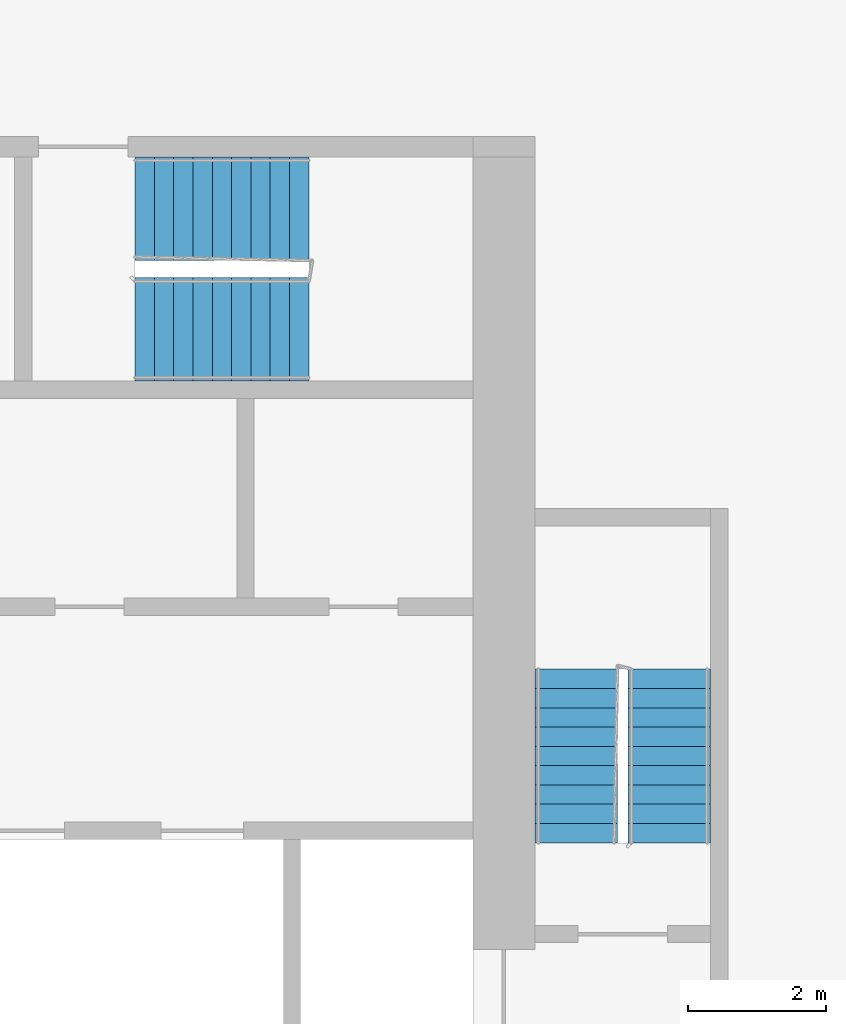
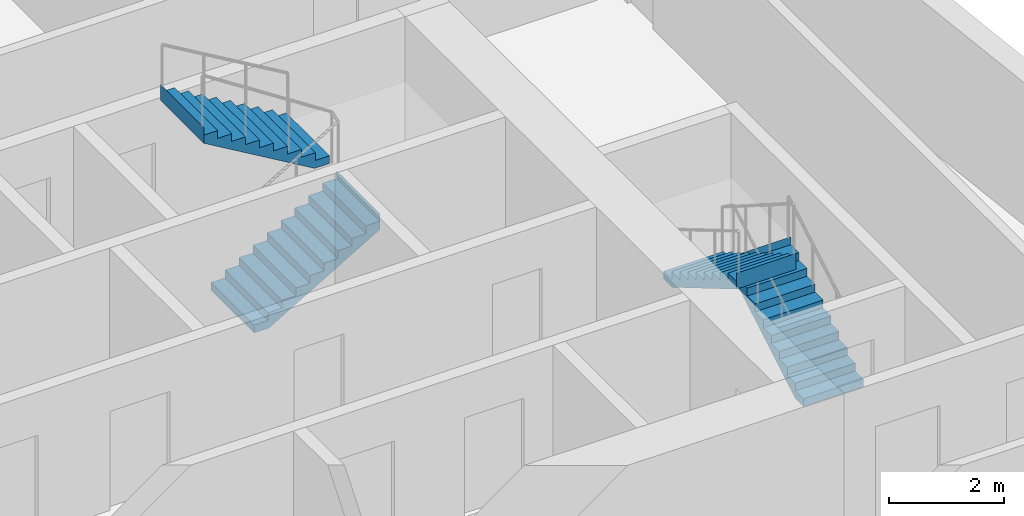
# One storey, part 11 of 12: 4 stair flights, 2 elements without a shape of their own.
"""IFC4 building model written with IfcOpenShell, lengths in metres."""

from ifc_helpers import new_model, si_unit, direction, frame, origin, place, context, subcontext, project, spatial, faceted_brep, material, type_object, element, aggregate, save


model = new_model("IFC4")

# Units and contexts
model_context = context("Model", 3, precision=1e-05, world=origin(), true_north=direction((0.0, 1.0)))
body_context = subcontext(model_context, "Body", "Model", "MODEL_VIEW")
ifc_project = project(units=[si_unit("LENGTHUNIT", "METRE"), si_unit("AREAUNIT", "SQUARE_METRE"), si_unit("VOLUMEUNIT", "CUBIC_METRE"), si_unit("PLANEANGLEUNIT", "RADIAN"), si_unit("MASSUNIT", "GRAM", prefix="KILO")], contexts=[model_context])

# Site, building, storey
site_placement = place(None, origin())
site = spatial("IfcSite", under=ifc_project, at=site_placement, CompositionType="ELEMENT")
building_placement = place(site_placement, origin())
building = spatial("IfcBuilding", under=site, at=building_placement, Name="Kajstack Hotel Tower", CompositionType="ELEMENT")
storey_placement = place(building_placement, frame((0.0, 0.0, 173.5)))
storey = spatial("IfcBuildingStorey", under=building, at=storey_placement, Name="L40", CompositionType="ELEMENT", Elevation=173.5)

# Stair, stair flights
ifc_material = material(Name="Concrete C40/50", Category="concrete")
stair_type_1 = type_object("IfcStairType", Name="Exit stair 1200", PredefinedType="HALF_TURN_STAIR", material=ifc_material)
stair_1_placement = place(storey_placement, origin())
stair_1 = element("IfcStair", 1, at=stair_1_placement, inside=storey, type_object=stair_type_1, Name="L40 stair E1", PredefinedType="HALF_TURN_STAIR")
stair_flight_type_1 = type_object("IfcStairFlightType", Name="Exit stair flight 1200", PredefinedType="STRAIGHT", material=ifc_material)
stair_flight_1_placement = place(storey_placement, frame((33.449951171875, 5.25, 0.0), z_axis=(0.0, 0.0, 1.0), x_axis=(0.0, 1.0, 0.0)))
stair_flight_1 = element("IfcStairFlight", 2, at=stair_flight_1_placement, type_object=stair_flight_type_1, Name="E1 flight 1", NumberOfRisers=10, NumberOfTreads=9, PredefinedType="STRAIGHT", RiserHeight=0.165, TreadLength=0.28, context=body_context, shape_type="Brep", body=[
    faceted_brep([(0.295654296875, -0.60009765625, 0.0), (2.5205078125, -0.60009765625, 1.31103515625), (2.5205078125, -0.60009765625, 1.64990234375), (2.52001953125, -0.60009765625, 1.64990234375), (2.52001953125, -0.60009765625, 1.485107421875), (2.239990234375, -0.60009765625, 1.485107421875), (2.239990234375, -0.60009765625, 1.320068359375), (1.9599609375, -0.60009765625, 1.320068359375), (1.9599609375, -0.60009765625, 1.155029296875), (1.679931640625, -0.60009765625, 1.155029296875), (1.679931640625, -0.60009765625, 0.989990234375), (1.39990234375, -0.60009765625, 0.989990234375), (1.39990234375, -0.60009765625, 0.824951171875), (1.1201171875, -0.60009765625, 0.824951171875), (1.1201171875, -0.60009765625, 0.659912109375), (0.840087890625, -0.60009765625, 0.659912109375), (0.840087890625, -0.60009765625, 0.4951171875), (0.56005859375, -0.60009765625, 0.4951171875), (0.56005859375, -0.60009765625, 0.330078125), (0.280029296875, -0.60009765625, 0.330078125), (0.280029296875, -0.60009765625, 0.1650390625), (-0.00048828125, -0.60009765625, 0.1650390625), (-0.00048828125, -0.60009765625, 0.0), (-0.00048828125, 0.60009765625, 0.0), (-0.00048828125, 0.60009765625, 0.1650390625), (0.280029296875, 0.60009765625, 0.1650390625), (0.280029296875, 0.60009765625, 0.330078125), (0.56005859375, 0.60009765625, 0.330078125), (0.56005859375, 0.60009765625, 0.4951171875), (0.840087890625, 0.60009765625, 0.4951171875), (0.840087890625, 0.60009765625, 0.659912109375), (1.1201171875, 0.60009765625, 0.659912109375), (1.1201171875, 0.60009765625, 0.824951171875), (1.39990234375, 0.60009765625, 0.824951171875), (1.39990234375, 0.60009765625, 0.989990234375), (1.679931640625, 0.60009765625, 0.989990234375), (1.679931640625, 0.60009765625, 1.155029296875), (1.9599609375, 0.60009765625, 1.155029296875), (1.9599609375, 0.60009765625, 1.320068359375), (2.239990234375, 0.60009765625, 1.320068359375), (2.239990234375, 0.60009765625, 1.485107421875), (2.52001953125, 0.60009765625, 1.485107421875), (2.52001953125, 0.60009765625, 1.64990234375), (2.5205078125, 0.60009765625, 1.64990234375), (2.5205078125, 0.60009765625, 1.31103515625), (0.295654296875, 0.60009765625, 0.0), (-0.00048828125, -0.300048828125, 0.1650390625), (-0.00048828125, 0.0, 0.1650390625), (-0.00048828125, 0.300048828125, 0.1650390625), (-0.00048828125, 0.300048828125, 0.0), (-0.00048828125, 0.0, 0.0), (-0.00048828125, -0.300048828125, 0.0), (0.280029296875, -0.300048828125, 0.1650390625), (0.280029296875, 0.0, 0.1650390625), (0.280029296875, 0.300048828125, 0.1650390625), (0.280029296875, -0.300048828125, 0.330078125), (0.280029296875, 0.0, 0.330078125), (0.280029296875, 0.300048828125, 0.330078125), (0.56005859375, -0.300048828125, 0.330078125), (0.56005859375, 0.0, 0.330078125), (0.56005859375, 0.300048828125, 0.330078125), (0.56005859375, -0.300048828125, 0.4951171875), (0.56005859375, 0.0, 0.4951171875), (0.56005859375, 0.300048828125, 0.4951171875), (0.840087890625, -0.300048828125, 0.4951171875), (0.840087890625, 0.0, 0.4951171875), (0.840087890625, 0.300048828125, 0.4951171875), (0.840087890625, -0.300048828125, 0.659912109375), (0.840087890625, 0.0, 0.659912109375), (0.840087890625, 0.300048828125, 0.659912109375), (1.1201171875, -0.300048828125, 0.659912109375), (1.1201171875, 0.0, 0.659912109375), (1.1201171875, 0.300048828125, 0.659912109375), (1.1201171875, -0.300048828125, 0.824951171875), (1.1201171875, 0.0, 0.824951171875), (1.1201171875, 0.300048828125, 0.824951171875), (1.39990234375, -0.300048828125, 0.824951171875), (1.39990234375, 0.0, 0.824951171875), (1.39990234375, 0.300048828125, 0.824951171875), (1.39990234375, -0.300048828125, 0.989990234375), (1.39990234375, 0.0, 0.989990234375), (1.39990234375, 0.300048828125, 0.989990234375), (1.679931640625, -0.300048828125, 0.989990234375), (1.679931640625, 0.0, 0.989990234375), (1.679931640625, 0.300048828125, 0.989990234375), (1.679931640625, -0.300048828125, 1.155029296875), (1.679931640625, 0.0, 1.155029296875), (1.679931640625, 0.300048828125, 1.155029296875), (1.9599609375, -0.300048828125, 1.155029296875), (1.9599609375, 0.0, 1.155029296875), (1.9599609375, 0.300048828125, 1.155029296875), (1.9599609375, -0.300048828125, 1.320068359375), (1.9599609375, 0.0, 1.320068359375), (1.9599609375, 0.300048828125, 1.320068359375), (2.239990234375, -0.300048828125, 1.320068359375), (2.239990234375, 0.0, 1.320068359375), (2.239990234375, 0.300048828125, 1.320068359375), (2.239990234375, -0.300048828125, 1.485107421875), (2.239990234375, 0.0, 1.485107421875), (2.239990234375, 0.300048828125, 1.485107421875), (2.52001953125, -0.300048828125, 1.485107421875), (2.52001953125, 0.0, 1.485107421875), (2.52001953125, 0.300048828125, 1.485107421875), (2.52001953125, -0.300048828125, 1.64990234375), (2.52001953125, 0.0, 1.64990234375), (2.52001953125, 0.300048828125, 1.64990234375), (2.5205078125, -0.300048828125, 1.64990234375), (2.5205078125, 0.0, 1.64990234375), (2.5205078125, 0.300048828125, 1.64990234375), (2.5205078125, -0.300048828125, 1.31103515625), (2.5205078125, 0.0, 1.31103515625), (2.5205078125, 0.300048828125, 1.31103515625), (0.295654296875, -0.300048828125, 0.0), (0.295654296875, 0.0, 0.0), (0.295654296875, 0.300048828125, 0.0)], [[[0, 1, 2, 3, 4, 5, 6, 7, 8, 9, 10, 11, 12, 13, 14, 15, 16, 17, 18, 19, 20, 21, 22]], [[23, 24, 25, 26, 27, 28, 29, 30, 31, 32, 33, 34, 35, 36, 37, 38, 39, 40, 41, 42, 43, 44, 45]], [[21, 46, 47, 48, 24, 23, 49, 50, 51, 22]], [[20, 52, 53, 54, 25, 24, 48, 47, 46, 21]], [[19, 55, 56, 57, 26, 25, 54, 53, 52, 20]], [[18, 58, 59, 60, 27, 26, 57, 56, 55, 19]], [[17, 61, 62, 63, 28, 27, 60, 59, 58, 18]], [[16, 64, 65, 66, 29, 28, 63, 62, 61, 17]], [[15, 67, 68, 69, 30, 29, 66, 65, 64, 16]], [[14, 70, 71, 72, 31, 30, 69, 68, 67, 15]], [[13, 73, 74, 75, 32, 31, 72, 71, 70, 14]], [[12, 76, 77, 78, 33, 32, 75, 74, 73, 13]], [[11, 79, 80, 81, 34, 33, 78, 77, 76, 12]], [[10, 82, 83, 84, 35, 34, 81, 80, 79, 11]], [[9, 85, 86, 87, 36, 35, 84, 83, 82, 10]], [[8, 88, 89, 90, 37, 36, 87, 86, 85, 9]], [[7, 91, 92, 93, 38, 37, 90, 89, 88, 8]], [[6, 94, 95, 96, 39, 38, 93, 92, 91, 7]], [[5, 97, 98, 99, 40, 39, 96, 95, 94, 6]], [[4, 100, 101, 102, 41, 40, 99, 98, 97, 5]], [[3, 103, 104, 105, 42, 41, 102, 101, 100, 4]], [[2, 106, 107, 108, 43, 42, 105, 104, 103, 3]], [[1, 109, 110, 111, 44, 43, 108, 107, 106, 2]], [[0, 112, 113, 114, 45, 44, 111, 110, 109, 1]], [[22, 51, 50, 49, 23, 45, 114, 113, 112, 0]]]),
])
stair_flight_2_placement = place(storey_placement, frame((32.10009765625, 7.77001953125, 1.64990234375), z_axis=(0.0, 0.0, 1.0), x_axis=(0.0, -1.0, 0.0)))
stair_flight_2 = element("IfcStairFlight", 3, at=stair_flight_2_placement, type_object=stair_flight_type_1, Name="E1 flight 2", NumberOfRisers=10, NumberOfTreads=9, PredefinedType="STRAIGHT", RiserHeight=0.165, TreadLength=0.28, context=body_context, shape_type="Brep", body=[
    faceted_brep([(0.295654296875, -0.60009765625, 0.0), (2.5205078125, -0.60009765625, 1.31103515625), (2.5205078125, -0.60009765625, 1.64990234375), (2.52001953125, -0.60009765625, 1.64990234375), (2.52001953125, -0.60009765625, 1.485107421875), (2.239990234375, -0.60009765625, 1.485107421875), (2.239990234375, -0.60009765625, 1.320068359375), (1.9599609375, -0.60009765625, 1.320068359375), (1.9599609375, -0.60009765625, 1.155029296875), (1.679931640625, -0.60009765625, 1.155029296875), (1.679931640625, -0.60009765625, 0.989990234375), (1.39990234375, -0.60009765625, 0.989990234375), (1.39990234375, -0.60009765625, 0.824951171875), (1.1201171875, -0.60009765625, 0.824951171875), (1.1201171875, -0.60009765625, 0.659912109375), (0.840087890625, -0.60009765625, 0.659912109375), (0.840087890625, -0.60009765625, 0.4951171875), (0.56005859375, -0.60009765625, 0.4951171875), (0.56005859375, -0.60009765625, 0.330078125), (0.280029296875, -0.60009765625, 0.330078125), (0.280029296875, -0.60009765625, 0.1650390625), (-0.00048828125, -0.60009765625, 0.1650390625), (-0.00048828125, -0.60009765625, 0.0), (-0.00048828125, 0.60009765625, 0.0), (-0.00048828125, 0.60009765625, 0.1650390625), (0.280029296875, 0.60009765625, 0.1650390625), (0.280029296875, 0.60009765625, 0.330078125), (0.56005859375, 0.60009765625, 0.330078125), (0.56005859375, 0.60009765625, 0.4951171875), (0.840087890625, 0.60009765625, 0.4951171875), (0.840087890625, 0.60009765625, 0.659912109375), (1.1201171875, 0.60009765625, 0.659912109375), (1.1201171875, 0.60009765625, 0.824951171875), (1.39990234375, 0.60009765625, 0.824951171875), (1.39990234375, 0.60009765625, 0.989990234375), (1.679931640625, 0.60009765625, 0.989990234375), (1.679931640625, 0.60009765625, 1.155029296875), (1.9599609375, 0.60009765625, 1.155029296875), (1.9599609375, 0.60009765625, 1.320068359375), (2.239990234375, 0.60009765625, 1.320068359375), (2.239990234375, 0.60009765625, 1.485107421875), (2.52001953125, 0.60009765625, 1.485107421875), (2.52001953125, 0.60009765625, 1.64990234375), (2.5205078125, 0.60009765625, 1.64990234375), (2.5205078125, 0.60009765625, 1.31103515625), (0.295654296875, 0.60009765625, 0.0), (-0.00048828125, -0.300048828125, 0.1650390625), (-0.00048828125, 0.0, 0.1650390625), (-0.00048828125, 0.300048828125, 0.1650390625), (-0.00048828125, 0.300048828125, 0.0), (-0.00048828125, 0.0, 0.0), (-0.00048828125, -0.300048828125, 0.0), (0.280029296875, -0.300048828125, 0.1650390625), (0.280029296875, 0.0, 0.1650390625), (0.280029296875, 0.300048828125, 0.1650390625), (0.280029296875, -0.300048828125, 0.330078125), (0.280029296875, 0.0, 0.330078125), (0.280029296875, 0.300048828125, 0.330078125), (0.56005859375, -0.300048828125, 0.330078125), (0.56005859375, 0.0, 0.330078125), (0.56005859375, 0.300048828125, 0.330078125), (0.56005859375, -0.300048828125, 0.4951171875), (0.56005859375, 0.0, 0.4951171875), (0.56005859375, 0.300048828125, 0.4951171875), (0.840087890625, -0.300048828125, 0.4951171875), (0.840087890625, 0.0, 0.4951171875), (0.840087890625, 0.300048828125, 0.4951171875), (0.840087890625, -0.300048828125, 0.659912109375), (0.840087890625, 0.0, 0.659912109375), (0.840087890625, 0.300048828125, 0.659912109375), (1.1201171875, -0.300048828125, 0.659912109375), (1.1201171875, 0.0, 0.659912109375), (1.1201171875, 0.300048828125, 0.659912109375), (1.1201171875, -0.300048828125, 0.824951171875), (1.1201171875, 0.0, 0.824951171875), (1.1201171875, 0.300048828125, 0.824951171875), (1.39990234375, -0.300048828125, 0.824951171875), (1.39990234375, 0.0, 0.824951171875), (1.39990234375, 0.300048828125, 0.824951171875), (1.39990234375, -0.300048828125, 0.989990234375), (1.39990234375, 0.0, 0.989990234375), (1.39990234375, 0.300048828125, 0.989990234375), (1.679931640625, -0.300048828125, 0.989990234375), (1.679931640625, 0.0, 0.989990234375), (1.679931640625, 0.300048828125, 0.989990234375), (1.679931640625, -0.300048828125, 1.155029296875), (1.679931640625, 0.0, 1.155029296875), (1.679931640625, 0.300048828125, 1.155029296875), (1.9599609375, -0.300048828125, 1.155029296875), (1.9599609375, 0.0, 1.155029296875), (1.9599609375, 0.300048828125, 1.155029296875), (1.9599609375, -0.300048828125, 1.320068359375), (1.9599609375, 0.0, 1.320068359375), (1.9599609375, 0.300048828125, 1.320068359375), (2.239990234375, -0.300048828125, 1.320068359375), (2.239990234375, 0.0, 1.320068359375), (2.239990234375, 0.300048828125, 1.320068359375), (2.239990234375, -0.300048828125, 1.485107421875), (2.239990234375, 0.0, 1.485107421875), (2.239990234375, 0.300048828125, 1.485107421875), (2.52001953125, -0.300048828125, 1.485107421875), (2.52001953125, 0.0, 1.485107421875), (2.52001953125, 0.300048828125, 1.485107421875), (2.52001953125, -0.300048828125, 1.64990234375), (2.52001953125, 0.0, 1.64990234375), (2.52001953125, 0.300048828125, 1.64990234375), (2.5205078125, -0.300048828125, 1.64990234375), (2.5205078125, 0.0, 1.64990234375), (2.5205078125, 0.300048828125, 1.64990234375), (2.5205078125, -0.300048828125, 1.31103515625), (2.5205078125, 0.0, 1.31103515625), (2.5205078125, 0.300048828125, 1.31103515625), (0.295654296875, -0.300048828125, 0.0), (0.295654296875, 0.0, 0.0), (0.295654296875, 0.300048828125, 0.0)], [[[0, 1, 2, 3, 4, 5, 6, 7, 8, 9, 10, 11, 12, 13, 14, 15, 16, 17, 18, 19, 20, 21, 22]], [[23, 24, 25, 26, 27, 28, 29, 30, 31, 32, 33, 34, 35, 36, 37, 38, 39, 40, 41, 42, 43, 44, 45]], [[21, 46, 47, 48, 24, 23, 49, 50, 51, 22]], [[20, 52, 53, 54, 25, 24, 48, 47, 46, 21]], [[19, 55, 56, 57, 26, 25, 54, 53, 52, 20]], [[18, 58, 59, 60, 27, 26, 57, 56, 55, 19]], [[17, 61, 62, 63, 28, 27, 60, 59, 58, 18]], [[16, 64, 65, 66, 29, 28, 63, 62, 61, 17]], [[15, 67, 68, 69, 30, 29, 66, 65, 64, 16]], [[14, 70, 71, 72, 31, 30, 69, 68, 67, 15]], [[13, 73, 74, 75, 32, 31, 72, 71, 70, 14]], [[12, 76, 77, 78, 33, 32, 75, 74, 73, 13]], [[11, 79, 80, 81, 34, 33, 78, 77, 76, 12]], [[10, 82, 83, 84, 35, 34, 81, 80, 79, 11]], [[9, 85, 86, 87, 36, 35, 84, 83, 82, 10]], [[8, 88, 89, 90, 37, 36, 87, 86, 85, 9]], [[7, 91, 92, 93, 38, 37, 90, 89, 88, 8]], [[6, 94, 95, 96, 39, 38, 93, 92, 91, 7]], [[5, 97, 98, 99, 40, 39, 96, 95, 94, 6]], [[4, 100, 101, 102, 41, 40, 99, 98, 97, 5]], [[3, 103, 104, 105, 42, 41, 102, 101, 100, 4]], [[2, 106, 107, 108, 43, 42, 105, 104, 103, 3]], [[1, 109, 110, 111, 44, 43, 108, 107, 106, 2]], [[0, 112, 113, 114, 45, 44, 111, 110, 109, 1]], [[22, 51, 50, 49, 23, 45, 114, 113, 112, 0]]]),
])
aggregate(stair_1, [stair_flight_1, stair_flight_2])

stair_type_2 = type_object("IfcStairType", Name="Exit stair 1500", PredefinedType="HALF_TURN_STAIR", material=ifc_material)
stair_2_placement = place(storey_placement, origin())
stair_2 = element("IfcStair", 4, at=stair_2_placement, inside=storey, type_object=stair_type_2, Name="L40 stair E3", PredefinedType="HALF_TURN_STAIR")
stair_flight_type_2 = type_object("IfcStairFlightType", Name="Exit stair flight 1500", PredefinedType="STRAIGHT", material=ifc_material)
stair_flight_3_placement = place(storey_placement, frame((25.699951171875, 12.699951171875, 0.0), z_axis=(0.0, 0.0, 1.0), x_axis=(1.0, 0.0, 0.0)))
stair_flight_3 = element("IfcStairFlight", 5, at=stair_flight_3_placement, type_object=stair_flight_type_2, Name="E3 flight 1", NumberOfRisers=10, NumberOfTreads=9, PredefinedType="STRAIGHT", RiserHeight=0.165, TreadLength=0.28, context=body_context, shape_type="Brep", body=[
    faceted_brep([(0.295654296875, -0.75, 0.0), (2.5205078125, -0.75, 1.31103515625), (2.5205078125, -0.75, 1.64990234375), (2.52001953125, -0.75, 1.64990234375), (2.52001953125, -0.75, 1.485107421875), (2.239990234375, -0.75, 1.485107421875), (2.239990234375, -0.75, 1.320068359375), (1.9599609375, -0.75, 1.320068359375), (1.9599609375, -0.75, 1.155029296875), (1.679931640625, -0.75, 1.155029296875), (1.679931640625, -0.75, 0.989990234375), (1.39990234375, -0.75, 0.989990234375), (1.39990234375, -0.75, 0.824951171875), (1.1201171875, -0.75, 0.824951171875), (1.1201171875, -0.75, 0.659912109375), (0.840087890625, -0.75, 0.659912109375), (0.840087890625, -0.75, 0.4951171875), (0.56005859375, -0.75, 0.4951171875), (0.56005859375, -0.75, 0.330078125), (0.280029296875, -0.75, 0.330078125), (0.280029296875, -0.75, 0.1650390625), (-0.00048828125, -0.75, 0.1650390625), (-0.00048828125, -0.75, 0.0), (-0.00048828125, 0.75, 0.0), (-0.00048828125, 0.75, 0.1650390625), (0.280029296875, 0.75, 0.1650390625), (0.280029296875, 0.75, 0.330078125), (0.56005859375, 0.75, 0.330078125), (0.56005859375, 0.75, 0.4951171875), (0.840087890625, 0.75, 0.4951171875), (0.840087890625, 0.75, 0.659912109375), (1.1201171875, 0.75, 0.659912109375), (1.1201171875, 0.75, 0.824951171875), (1.39990234375, 0.75, 0.824951171875), (1.39990234375, 0.75, 0.989990234375), (1.679931640625, 0.75, 0.989990234375), (1.679931640625, 0.75, 1.155029296875), (1.9599609375, 0.75, 1.155029296875), (1.9599609375, 0.75, 1.320068359375), (2.239990234375, 0.75, 1.320068359375), (2.239990234375, 0.75, 1.485107421875), (2.52001953125, 0.75, 1.485107421875), (2.52001953125, 0.75, 1.64990234375), (2.5205078125, 0.75, 1.64990234375), (2.5205078125, 0.75, 1.31103515625), (0.295654296875, 0.75, 0.0), (-0.00048828125, -0.375, 0.1650390625), (-0.00048828125, 0.0, 0.1650390625), (-0.00048828125, 0.375, 0.1650390625), (-0.00048828125, 0.375, 0.0), (-0.00048828125, 0.0, 0.0), (-0.00048828125, -0.375, 0.0), (0.280029296875, -0.375, 0.1650390625), (0.280029296875, 0.0, 0.1650390625), (0.280029296875, 0.375, 0.1650390625), (0.280029296875, -0.375, 0.330078125), (0.280029296875, 0.0, 0.330078125), (0.280029296875, 0.375, 0.330078125), (0.56005859375, -0.375, 0.330078125), (0.56005859375, 0.0, 0.330078125), (0.56005859375, 0.375, 0.330078125), (0.56005859375, -0.375, 0.4951171875), (0.56005859375, 0.0, 0.4951171875), (0.56005859375, 0.375, 0.4951171875), (0.840087890625, -0.375, 0.4951171875), (0.840087890625, 0.0, 0.4951171875), (0.840087890625, 0.375, 0.4951171875), (0.840087890625, -0.375, 0.659912109375), (0.840087890625, 0.0, 0.659912109375), (0.840087890625, 0.375, 0.659912109375), (1.1201171875, -0.375, 0.659912109375), (1.1201171875, 0.0, 0.659912109375), (1.1201171875, 0.375, 0.659912109375), (1.1201171875, -0.375, 0.824951171875), (1.1201171875, 0.0, 0.824951171875), (1.1201171875, 0.375, 0.824951171875), (1.39990234375, -0.375, 0.824951171875), (1.39990234375, 0.0, 0.824951171875), (1.39990234375, 0.375, 0.824951171875), (1.39990234375, -0.375, 0.989990234375), (1.39990234375, 0.0, 0.989990234375), (1.39990234375, 0.375, 0.989990234375), (1.679931640625, -0.375, 0.989990234375), (1.679931640625, 0.0, 0.989990234375), (1.679931640625, 0.375, 0.989990234375), (1.679931640625, -0.375, 1.155029296875), (1.679931640625, 0.0, 1.155029296875), (1.679931640625, 0.375, 1.155029296875), (1.9599609375, -0.375, 1.155029296875), (1.9599609375, 0.0, 1.155029296875), (1.9599609375, 0.375, 1.155029296875), (1.9599609375, -0.375, 1.320068359375), (1.9599609375, 0.0, 1.320068359375), (1.9599609375, 0.375, 1.320068359375), (2.239990234375, -0.375, 1.320068359375), (2.239990234375, 0.0, 1.320068359375), (2.239990234375, 0.375, 1.320068359375), (2.239990234375, -0.375, 1.485107421875), (2.239990234375, 0.0, 1.485107421875), (2.239990234375, 0.375, 1.485107421875), (2.52001953125, -0.375, 1.485107421875), (2.52001953125, 0.0, 1.485107421875), (2.52001953125, 0.375, 1.485107421875), (2.52001953125, -0.375, 1.64990234375), (2.52001953125, 0.0, 1.64990234375), (2.52001953125, 0.375, 1.64990234375), (2.5205078125, -0.375, 1.64990234375), (2.5205078125, 0.0, 1.64990234375), (2.5205078125, 0.375, 1.64990234375), (2.5205078125, -0.375, 1.31103515625), (2.5205078125, 0.0, 1.31103515625), (2.5205078125, 0.375, 1.31103515625), (0.295654296875, -0.375, 0.0), (0.295654296875, 0.0, 0.0), (0.295654296875, 0.375, 0.0)], [[[0, 1, 2, 3, 4, 5, 6, 7, 8, 9, 10, 11, 12, 13, 14, 15, 16, 17, 18, 19, 20, 21, 22]], [[23, 24, 25, 26, 27, 28, 29, 30, 31, 32, 33, 34, 35, 36, 37, 38, 39, 40, 41, 42, 43, 44, 45]], [[21, 46, 47, 48, 24, 23, 49, 50, 51, 22]], [[20, 52, 53, 54, 25, 24, 48, 47, 46, 21]], [[19, 55, 56, 57, 26, 25, 54, 53, 52, 20]], [[18, 58, 59, 60, 27, 26, 57, 56, 55, 19]], [[17, 61, 62, 63, 28, 27, 60, 59, 58, 18]], [[16, 64, 65, 66, 29, 28, 63, 62, 61, 17]], [[15, 67, 68, 69, 30, 29, 66, 65, 64, 16]], [[14, 70, 71, 72, 31, 30, 69, 68, 67, 15]], [[13, 73, 74, 75, 32, 31, 72, 71, 70, 14]], [[12, 76, 77, 78, 33, 32, 75, 74, 73, 13]], [[11, 79, 80, 81, 34, 33, 78, 77, 76, 12]], [[10, 82, 83, 84, 35, 34, 81, 80, 79, 11]], [[9, 85, 86, 87, 36, 35, 84, 83, 82, 10]], [[8, 88, 89, 90, 37, 36, 87, 86, 85, 9]], [[7, 91, 92, 93, 38, 37, 90, 89, 88, 8]], [[6, 94, 95, 96, 39, 38, 93, 92, 91, 7]], [[5, 97, 98, 99, 40, 39, 96, 95, 94, 6]], [[4, 100, 101, 102, 41, 40, 99, 98, 97, 5]], [[3, 103, 104, 105, 42, 41, 102, 101, 100, 4]], [[2, 106, 107, 108, 43, 42, 105, 104, 103, 3]], [[1, 109, 110, 111, 44, 43, 108, 107, 106, 2]], [[0, 112, 113, 114, 45, 44, 111, 110, 109, 1]], [[22, 51, 50, 49, 23, 45, 114, 113, 112, 0]]]),
])
stair_flight_4_placement = place(storey_placement, frame((28.219970703125, 14.449951171875, 1.64990234375), z_axis=(0.0, 0.0, 1.0), x_axis=(-1.0, 0.0, 0.0)))
stair_flight_4 = element("IfcStairFlight", 6, at=stair_flight_4_placement, type_object=stair_flight_type_2, Name="E3 flight 2", NumberOfRisers=10, NumberOfTreads=9, PredefinedType="STRAIGHT", RiserHeight=0.165, TreadLength=0.28, context=body_context, shape_type="Brep", body=[
    faceted_brep([(0.295654296875, -0.75, 0.0), (2.5205078125, -0.75, 1.31103515625), (2.5205078125, -0.75, 1.64990234375), (2.52001953125, -0.75, 1.64990234375), (2.52001953125, -0.75, 1.485107421875), (2.239990234375, -0.75, 1.485107421875), (2.239990234375, -0.75, 1.320068359375), (1.9599609375, -0.75, 1.320068359375), (1.9599609375, -0.75, 1.155029296875), (1.679931640625, -0.75, 1.155029296875), (1.679931640625, -0.75, 0.989990234375), (1.39990234375, -0.75, 0.989990234375), (1.39990234375, -0.75, 0.824951171875), (1.1201171875, -0.75, 0.824951171875), (1.1201171875, -0.75, 0.659912109375), (0.840087890625, -0.75, 0.659912109375), (0.840087890625, -0.75, 0.4951171875), (0.56005859375, -0.75, 0.4951171875), (0.56005859375, -0.75, 0.330078125), (0.280029296875, -0.75, 0.330078125), (0.280029296875, -0.75, 0.1650390625), (-0.00048828125, -0.75, 0.1650390625), (-0.00048828125, -0.75, 0.0), (-0.00048828125, 0.75, 0.0), (-0.00048828125, 0.75, 0.1650390625), (0.280029296875, 0.75, 0.1650390625), (0.280029296875, 0.75, 0.330078125), (0.56005859375, 0.75, 0.330078125), (0.56005859375, 0.75, 0.4951171875), (0.840087890625, 0.75, 0.4951171875), (0.840087890625, 0.75, 0.659912109375), (1.1201171875, 0.75, 0.659912109375), (1.1201171875, 0.75, 0.824951171875), (1.39990234375, 0.75, 0.824951171875), (1.39990234375, 0.75, 0.989990234375), (1.679931640625, 0.75, 0.989990234375), (1.679931640625, 0.75, 1.155029296875), (1.9599609375, 0.75, 1.155029296875), (1.9599609375, 0.75, 1.320068359375), (2.239990234375, 0.75, 1.320068359375), (2.239990234375, 0.75, 1.485107421875), (2.52001953125, 0.75, 1.485107421875), (2.52001953125, 0.75, 1.64990234375), (2.5205078125, 0.75, 1.64990234375), (2.5205078125, 0.75, 1.31103515625), (0.295654296875, 0.75, 0.0), (-0.00048828125, -0.375, 0.1650390625), (-0.00048828125, 0.0, 0.1650390625), (-0.00048828125, 0.375, 0.1650390625), (-0.00048828125, 0.375, 0.0), (-0.00048828125, 0.0, 0.0), (-0.00048828125, -0.375, 0.0), (0.280029296875, -0.375, 0.1650390625), (0.280029296875, 0.0, 0.1650390625), (0.280029296875, 0.375, 0.1650390625), (0.280029296875, -0.375, 0.330078125), (0.280029296875, 0.0, 0.330078125), (0.280029296875, 0.375, 0.330078125), (0.56005859375, -0.375, 0.330078125), (0.56005859375, 0.0, 0.330078125), (0.56005859375, 0.375, 0.330078125), (0.56005859375, -0.375, 0.4951171875), (0.56005859375, 0.0, 0.4951171875), (0.56005859375, 0.375, 0.4951171875), (0.840087890625, -0.375, 0.4951171875), (0.840087890625, 0.0, 0.4951171875), (0.840087890625, 0.375, 0.4951171875), (0.840087890625, -0.375, 0.659912109375), (0.840087890625, 0.0, 0.659912109375), (0.840087890625, 0.375, 0.659912109375), (1.1201171875, -0.375, 0.659912109375), (1.1201171875, 0.0, 0.659912109375), (1.1201171875, 0.375, 0.659912109375), (1.1201171875, -0.375, 0.824951171875), (1.1201171875, 0.0, 0.824951171875), (1.1201171875, 0.375, 0.824951171875), (1.39990234375, -0.375, 0.824951171875), (1.39990234375, 0.0, 0.824951171875), (1.39990234375, 0.375, 0.824951171875), (1.39990234375, -0.375, 0.989990234375), (1.39990234375, 0.0, 0.989990234375), (1.39990234375, 0.375, 0.989990234375), (1.679931640625, -0.375, 0.989990234375), (1.679931640625, 0.0, 0.989990234375), (1.679931640625, 0.375, 0.989990234375), (1.679931640625, -0.375, 1.155029296875), (1.679931640625, 0.0, 1.155029296875), (1.679931640625, 0.375, 1.155029296875), (1.9599609375, -0.375, 1.155029296875), (1.9599609375, 0.0, 1.155029296875), (1.9599609375, 0.375, 1.155029296875), (1.9599609375, -0.375, 1.320068359375), (1.9599609375, 0.0, 1.320068359375), (1.9599609375, 0.375, 1.320068359375), (2.239990234375, -0.375, 1.320068359375), (2.239990234375, 0.0, 1.320068359375), (2.239990234375, 0.375, 1.320068359375), (2.239990234375, -0.375, 1.485107421875), (2.239990234375, 0.0, 1.485107421875), (2.239990234375, 0.375, 1.485107421875), (2.52001953125, -0.375, 1.485107421875), (2.52001953125, 0.0, 1.485107421875), (2.52001953125, 0.375, 1.485107421875), (2.52001953125, -0.375, 1.64990234375), (2.52001953125, 0.0, 1.64990234375), (2.52001953125, 0.375, 1.64990234375), (2.5205078125, -0.375, 1.64990234375), (2.5205078125, 0.0, 1.64990234375), (2.5205078125, 0.375, 1.64990234375), (2.5205078125, -0.375, 1.31103515625), (2.5205078125, 0.0, 1.31103515625), (2.5205078125, 0.375, 1.31103515625), (0.295654296875, -0.375, 0.0), (0.295654296875, 0.0, 0.0), (0.295654296875, 0.375, 0.0)], [[[0, 1, 2, 3, 4, 5, 6, 7, 8, 9, 10, 11, 12, 13, 14, 15, 16, 17, 18, 19, 20, 21, 22]], [[23, 24, 25, 26, 27, 28, 29, 30, 31, 32, 33, 34, 35, 36, 37, 38, 39, 40, 41, 42, 43, 44, 45]], [[21, 46, 47, 48, 24, 23, 49, 50, 51, 22]], [[20, 52, 53, 54, 25, 24, 48, 47, 46, 21]], [[19, 55, 56, 57, 26, 25, 54, 53, 52, 20]], [[18, 58, 59, 60, 27, 26, 57, 56, 55, 19]], [[17, 61, 62, 63, 28, 27, 60, 59, 58, 18]], [[16, 64, 65, 66, 29, 28, 63, 62, 61, 17]], [[15, 67, 68, 69, 30, 29, 66, 65, 64, 16]], [[14, 70, 71, 72, 31, 30, 69, 68, 67, 15]], [[13, 73, 74, 75, 32, 31, 72, 71, 70, 14]], [[12, 76, 77, 78, 33, 32, 75, 74, 73, 13]], [[11, 79, 80, 81, 34, 33, 78, 77, 76, 12]], [[10, 82, 83, 84, 35, 34, 81, 80, 79, 11]], [[9, 85, 86, 87, 36, 35, 84, 83, 82, 10]], [[8, 88, 89, 90, 37, 36, 87, 86, 85, 9]], [[7, 91, 92, 93, 38, 37, 90, 89, 88, 8]], [[6, 94, 95, 96, 39, 38, 93, 92, 91, 7]], [[5, 97, 98, 99, 40, 39, 96, 95, 94, 6]], [[4, 100, 101, 102, 41, 40, 99, 98, 97, 5]], [[3, 103, 104, 105, 42, 41, 102, 101, 100, 4]], [[2, 106, 107, 108, 43, 42, 105, 104, 103, 3]], [[1, 109, 110, 111, 44, 43, 108, 107, 106, 2]], [[0, 112, 113, 114, 45, 44, 111, 110, 109, 1]], [[22, 51, 50, 49, 23, 45, 114, 113, 112, 0]]]),
])
aggregate(stair_2, [stair_flight_3, stair_flight_4])

save(model, "model.ifc")
